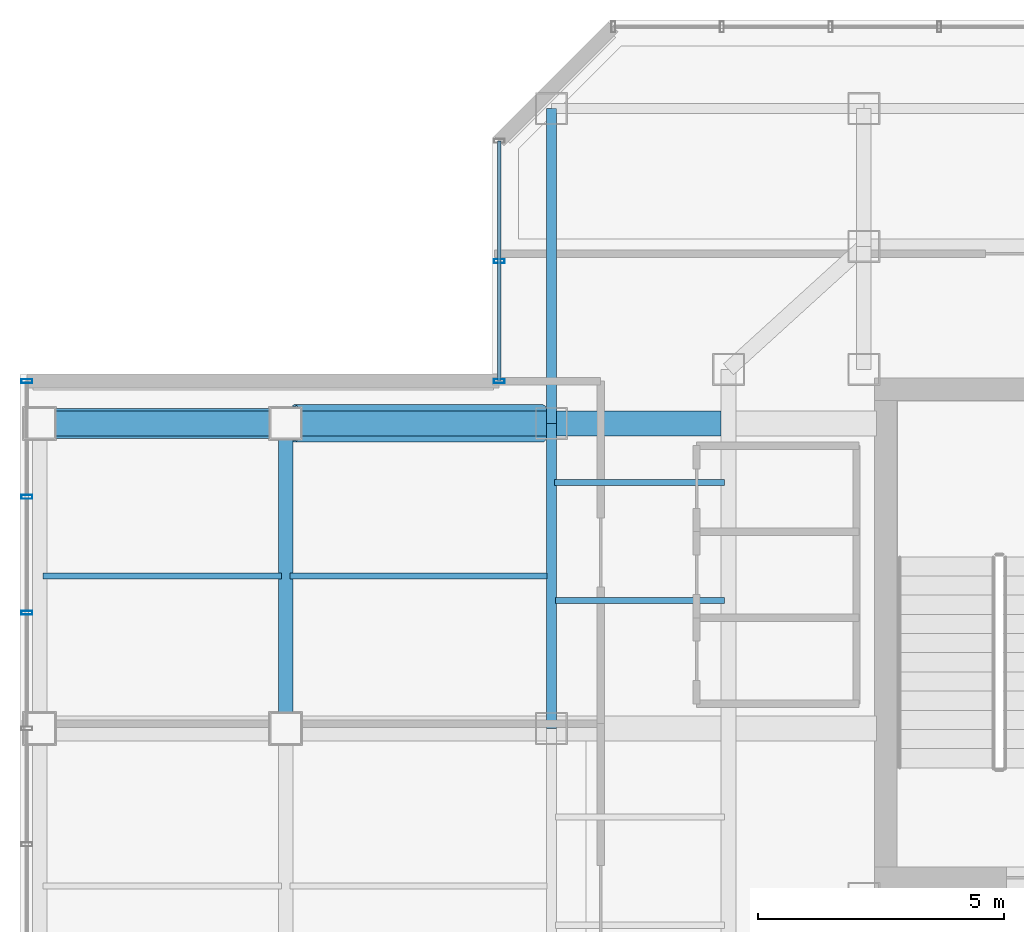
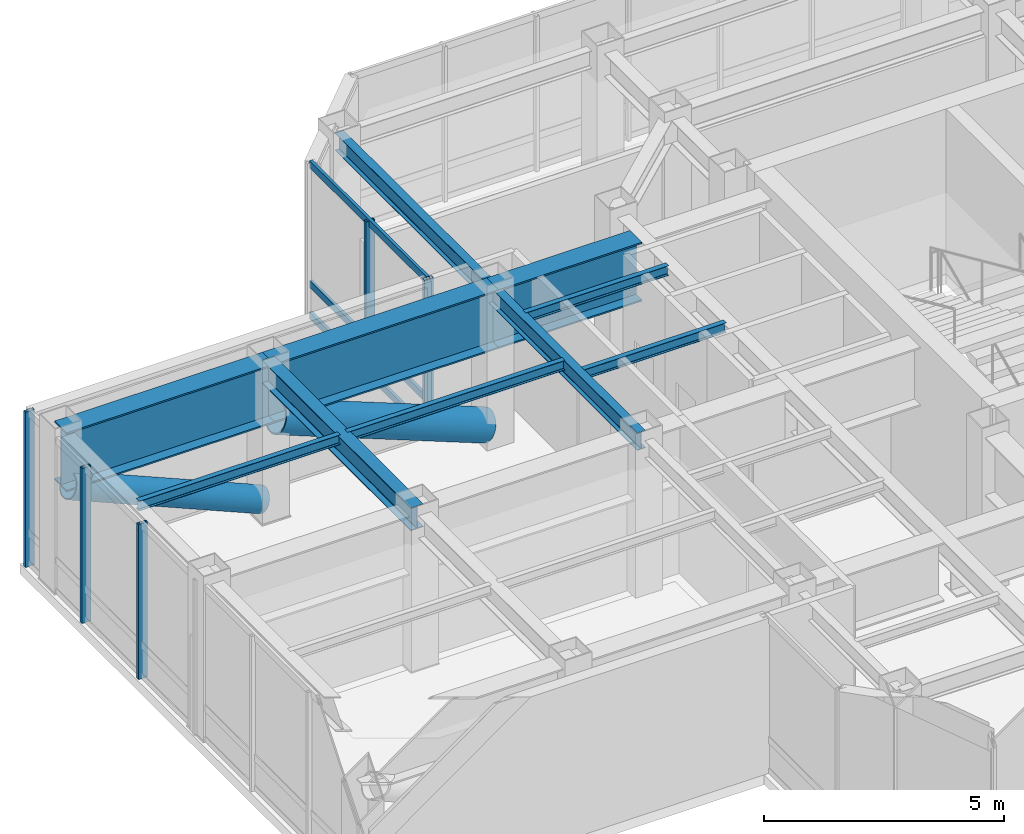
# One storey, part 7 of 22: 10 beams, 10 members, 2 elements without a shape of their own.
"""IFC4 building model written with IfcOpenShell, lengths in metres."""

from ifc_helpers import new_model, si_unit, direction, frame, origin, origin_2d, place, context, subcontext, project, spatial, hollow_rectangle, hollow_circle, i_section, extrude, material, layer, layer_set, material_profile, profile_set, type_object, element, aggregate, save


model = new_model("IFC4")

# Units and contexts
model_context = context("Model", 3, precision=1e-05, world=origin(), true_north=direction((0.0, 1.0)))
body_context = subcontext(model_context, "Body", "Model", "MODEL_VIEW")
ifc_project = project(units=[si_unit("LENGTHUNIT", "METRE"), si_unit("AREAUNIT", "SQUARE_METRE"), si_unit("VOLUMEUNIT", "CUBIC_METRE"), si_unit("PLANEANGLEUNIT", "RADIAN"), si_unit("MASSUNIT", "GRAM", prefix="KILO")], contexts=[model_context])

# Site, building, storey
site_placement = place(None, origin())
site = spatial("IfcSite", under=ifc_project, at=site_placement, CompositionType="ELEMENT")
building_placement = place(site_placement, origin())
building = spatial("IfcBuilding", under=site, at=building_placement, Name="Hatsunagi Terrace Concourse", CompositionType="ELEMENT")
storey_placement = place(building_placement, frame((0.0, 0.0, 257.550048828125)))
storey = spatial("IfcBuildingStorey", under=building, at=storey_placement, Name="L68", CompositionType="ELEMENT", Elevation=257.550048828125)

# Beams
ifc_material_1 = material(Name="Steel SN490B", Category="steel")
ifc_material_profile_1 = material_profile(ifc_material_1, i_section(OverallWidth=0.125, OverallDepth=0.25, WebThickness=0.006103515625, FlangeThickness=0.009033203125, FilletRadius=0.008056640625, at=origin_2d()), Name="H-250x125x6x9")
ifc_profile_set_1 = profile_set([ifc_material_profile_1], Name="Steel SN490B")
beam_type_1 = type_object("IfcBeamType", Name="CrownJoist_H_250x125", PredefinedType="JOIST", material=ifc_profile_set_1)
beam_1_placement = place(storey_placement, frame((19.114990234375, 39.10009765625, 3.824951171875), z_axis=(-1.0, 0.0, 0.0), x_axis=(0.0, -1.0, 0.0)))
element("IfcBeam", 1, at=beam_1_placement, inside=storey, type_object=beam_type_1, Name="Beam J-04 J-L68-SL1-391", PredefinedType="JOIST", context=body_context, shape_type="SweptSolid", body=[
    extrude(i_section(OverallWidth=0.125, OverallDepth=0.25, WebThickness=0.006103515625, FlangeThickness=0.009033203125, FilletRadius=0.008056640625, at=origin_2d()), origin(), (0.0, 0.0, 1.0), 5.22998046875),
])
beam_2_placement = place(storey_placement, frame((13.715087890625, 39.10009765625, 3.824951171875), z_axis=(-1.0, 0.0, 0.0), x_axis=(0.0, -1.0, 0.0)))
element("IfcBeam", 2, at=beam_2_placement, inside=storey, type_object=beam_type_1, Name="Beam J-04 J-L68-SL2-391", PredefinedType="JOIST", context=body_context, shape_type="SweptSolid", body=[
    extrude(i_section(OverallWidth=0.125, OverallDepth=0.25, WebThickness=0.006103515625, FlangeThickness=0.009033203125, FilletRadius=0.008056640625, at=origin_2d()), origin(), (0.0, 0.0, 1.0), 4.85009765625),
])
beam_3_placement = place(storey_placement, frame((19.284912109375, 38.60009765625, 3.824951171875), z_axis=(1.0, 0.0, 0.0), x_axis=(0.0, 1.0, 0.0)))
element("IfcBeam", 3, at=beam_3_placement, inside=storey, type_object=beam_type_1, Name="Beam J-04 J-L68-W-19-386", PredefinedType="JOIST", context=body_context, shape_type="SweptSolid", body=[
    extrude(i_section(OverallWidth=0.125, OverallDepth=0.25, WebThickness=0.006103515625, FlangeThickness=0.009033203125, FilletRadius=0.008056640625, at=origin_2d()), origin(), (0.0, 0.0, 1.0), 3.43017578125),
])
beam_4_placement = place(storey_placement, frame((19.264892578125, 41.0, 3.824951171875), z_axis=(1.0, 0.0, 0.0), x_axis=(0.0, 1.0, 0.0)))
element("IfcBeam", 4, at=beam_4_placement, inside=storey, type_object=beam_type_1, Name="Beam J-04 J-L68-W-19-410", PredefinedType="JOIST", context=body_context, shape_type="SweptSolid", body=[
    extrude(i_section(OverallWidth=0.125, OverallDepth=0.25, WebThickness=0.006103515625, FlangeThickness=0.009033203125, FilletRadius=0.008056640625, at=origin_2d()), origin(), (0.0, 0.0, 1.0), 3.4501953125),
])

# Curtain wall, members
ifc_material_2 = material(Name="Anodised Aluminium Alloy 6063-T5", Category="aluminium")
ifc_layer = layer(ifc_material_2, 0.199951171875)
ifc_layer_set = layer_set([ifc_layer], Name="SkyLobbyAtrium_CW05")
curtain_wall_type = type_object("IfcCurtainWallType", Name="SkyLobbyAtrium_CW05", PredefinedType="NOTDEFINED", material=ifc_layer_set)
curtain_wall_1_placement = place(storey_placement, origin())
curtain_wall_1 = element("IfcCurtainWall", 5, at=curtain_wall_1_placement, inside=storey, type_object=curtain_wall_type, Name="Unitised Curtain Wall CW-05 CW-L68-01", PredefinedType="NOTDEFINED")
ifc_material_3 = material(Name="Anodised Aluminium Alloy 6063-T5", Category="aluminium")
ifc_material_profile_2 = material_profile(ifc_material_3, hollow_rectangle(XDim=0.080078125, YDim=0.219970703125, WallThickness=0.0048828125, at=origin_2d()), Name="ALU-MUL-220x80x5")
ifc_profile_set_2 = profile_set([ifc_material_profile_2], Name="Anodised Aluminium Alloy 6063-T5")
member_type_1 = type_object("IfcMemberType", Name="CurtainWallMullion_Heavy_220x80", PredefinedType="MULLION", material=ifc_profile_set_2)
member_1_placement = place(storey_placement, frame((18.139892578125, 43.06005859375, 0.0), z_axis=(0.0, 0.0, 1.0), x_axis=(0.0, 1.0, 0.0)))
member_1 = element("IfcMember", 6, at=member_1_placement, type_object=member_type_1, Name="Curtain Wall Mullion MUL-01", PredefinedType="MULLION", context=body_context, shape_type="SweptSolid", body=[
    extrude(hollow_rectangle(XDim=0.080078125, YDim=0.219970703125, WallThickness=0.0048828125, at=origin_2d()), origin(), (0.0, 0.0, 1.0), 3.949951171875),
])
member_2_placement = place(storey_placement, frame((18.139892578125, 45.5009765625, 0.0), z_axis=(0.0, 0.0, 1.0), x_axis=(0.0, 1.0, 0.0)))
member_2 = element("IfcMember", 7, at=member_2_placement, type_object=member_type_1, Name="Curtain Wall Mullion MUL-01", PredefinedType="MULLION", context=body_context, shape_type="SweptSolid", body=[
    extrude(hollow_rectangle(XDim=0.080078125, YDim=0.219970703125, WallThickness=0.0048828125, at=origin_2d()), origin(), (0.0, 0.0, 1.0), 3.949951171875),
])

curtain_wall_2_placement = place(storey_placement, origin())
curtain_wall_2 = element("IfcCurtainWall", 8, at=curtain_wall_2_placement, inside=storey, type_object=curtain_wall_type, Name="Unitised Curtain Wall CW-05 CW-L68-15", PredefinedType="NOTDEFINED")
member_3_placement = place(storey_placement, frame((8.5400390625, 38.35302734375, 0.0), z_axis=(0.0, 0.0, 1.0), x_axis=(0.0, 1.0, 0.0)))
member_3 = element("IfcMember", 9, at=member_3_placement, type_object=member_type_1, Name="Curtain Wall Mullion MUL-01", PredefinedType="MULLION", context=body_context, shape_type="SweptSolid", body=[
    extrude(hollow_rectangle(XDim=0.080078125, YDim=0.219970703125, WallThickness=0.0048828125, at=origin_2d()), origin(), (0.0, 0.0, 1.0), 3.949951171875),
])
member_4_placement = place(storey_placement, frame((8.5400390625, 40.70703125, 0.0), z_axis=(0.0, 0.0, 1.0), x_axis=(0.0, 1.0, 0.0)))
member_4 = element("IfcMember", 10, at=member_4_placement, type_object=member_type_1, Name="Curtain Wall Mullion MUL-01", PredefinedType="MULLION", context=body_context, shape_type="SweptSolid", body=[
    extrude(hollow_rectangle(XDim=0.080078125, YDim=0.219970703125, WallThickness=0.0048828125, at=origin_2d()), origin(), (0.0, 0.0, 1.0), 3.949951171875),
])
member_5_placement = place(storey_placement, frame((8.5400390625, 43.06005859375, 0.0), z_axis=(0.0, 0.0, 1.0), x_axis=(0.0, 1.0, 0.0)))
member_5 = element("IfcMember", 11, at=member_5_placement, type_object=member_type_1, Name="Curtain Wall Mullion MUL-01", PredefinedType="MULLION", context=body_context, shape_type="SweptSolid", body=[
    extrude(hollow_rectangle(XDim=0.080078125, YDim=0.219970703125, WallThickness=0.0048828125, at=origin_2d()), origin(), (0.0, 0.0, 1.0), 3.949951171875),
])
aggregate(curtain_wall_2, [member_3, member_4, member_5])

# Member
ifc_material_4 = material(Name="Anodised Aluminium Alloy 6063-T5", Category="aluminium")
ifc_material_profile_3 = material_profile(ifc_material_4, hollow_rectangle(XDim=0.070068359375, YDim=0.179931640625, WallThickness=0.00390625, at=origin_2d()), Name="ALU-TRN-180x70x4")
ifc_profile_set_3 = profile_set([ifc_material_profile_3], Name="Anodised Aluminium Alloy 6063-T5")
member_type_2 = type_object("IfcMemberType", Name="CurtainWallTransom_Heavy_180x70", PredefinedType="USERDEFINED", material=ifc_profile_set_3)
member_6_placement = place(storey_placement, frame((18.139892578125, 43.06005859375, 0.050048828125), z_axis=(0.0, 1.0, 0.0), x_axis=(-1.0, 0.0, 0.0)))
member_6 = element("IfcMember", 12, at=member_6_placement, type_object=member_type_2, Name="Curtain Wall Transom TRN-01", ObjectType="TRANSOM", PredefinedType="USERDEFINED", context=body_context, shape_type="SweptSolid", body=[
    extrude(hollow_rectangle(XDim=0.070068359375, YDim=0.179931640625, WallThickness=0.00390625, at=origin_2d()), origin(), (0.0, 0.0, 1.0), 4.8818359375),
])

member_7_placement = place(storey_placement, frame((18.139892578125, 43.06005859375, 0.849853515625), z_axis=(0.0, 1.0, 0.0), x_axis=(-1.0, 0.0, 0.0)))
member_7 = element("IfcMember", 13, at=member_7_placement, type_object=member_type_2, Name="Curtain Wall Transom TRN-01", ObjectType="TRANSOM", PredefinedType="USERDEFINED", context=body_context, shape_type="SweptSolid", body=[
    extrude(hollow_rectangle(XDim=0.070068359375, YDim=0.179931640625, WallThickness=0.00390625, at=origin_2d()), origin(), (0.0, 0.0, 1.0), 4.8818359375),
])

member_8_placement = place(storey_placement, frame((18.139892578125, 43.06005859375, 3.89990234375), z_axis=(0.0, 1.0, 0.0), x_axis=(-1.0, 0.0, 0.0)))
member_8 = element("IfcMember", 14, at=member_8_placement, type_object=member_type_2, Name="Curtain Wall Transom TRN-01", ObjectType="TRANSOM", PredefinedType="USERDEFINED", context=body_context, shape_type="SweptSolid", body=[
    extrude(hollow_rectangle(XDim=0.070068359375, YDim=0.179931640625, WallThickness=0.00390625, at=origin_2d()), origin(), (0.0, 0.0, 1.0), 4.8818359375),
])

aggregate(curtain_wall_1, [member_1, member_2, member_6, member_7, member_8])

# Beams
ifc_material_5 = material(Name="Steel SN490B", Category="steel")
ifc_material_profile_4 = material_profile(ifc_material_5, i_section(OverallWidth=0.300048828125, OverallDepth=0.587890625, WebThickness=0.011962890625, FlangeThickness=0.02001953125, FilletRadius=0.01806640625, at=origin_2d()), Name="H-588x300x12x20")
ifc_profile_set_4 = profile_set([ifc_material_profile_4], Name="Steel SN490B")
beam_type_2 = type_object("IfcBeamType", Name="OfficeHighGirder_H_588x300", PredefinedType="BEAM", material=ifc_profile_set_4)
beam_5_placement = place(storey_placement, frame((13.800048828125, 36.0, 3.656005859375), z_axis=(0.0, 1.0, 0.0), x_axis=(-1.0, 0.0, 0.0)))
element("IfcBeam", 15, at=beam_5_placement, inside=storey, type_object=beam_type_2, Name="Beam G-06 SLT-L68-NS-1B", PredefinedType="BEAM", context=body_context, shape_type="SweptSolid", body=[
    extrude(i_section(OverallWidth=0.300048828125, OverallDepth=0.587890625, WebThickness=0.011962890625, FlangeThickness=0.02001953125, FilletRadius=0.01806640625, at=origin_2d()), origin(), (0.0, 0.0, 1.0), 6.199951171875),
])
ifc_material_6 = material(Name="Steel SN490B", Category="steel")
ifc_material_profile_5 = material_profile(ifc_material_6, i_section(OverallWidth=0.199951171875, OverallDepth=0.449951171875, WebThickness=0.009033203125, FlangeThickness=0.013916015625, FilletRadius=0.01611328125, at=origin_2d()), Name="H-450x200x9x14")
ifc_profile_set_5 = profile_set([ifc_material_profile_5], Name="Steel SN490B")
beam_type_3 = type_object("IfcBeamType", Name="PerimeterSpandrel_H_450x200", PredefinedType="SPANDREL", material=ifc_profile_set_5)
beam_6_placement = place(storey_placement, frame((19.199951171875, 36.0, 3.724853515625), z_axis=(0.0, 1.0, 0.0), x_axis=(-1.0, 0.0, 0.0)))
element("IfcBeam", 16, at=beam_6_placement, inside=storey, type_object=beam_type_3, Name="Beam SP-02 BM-L68-NS-19-36", PredefinedType="SPANDREL", context=body_context, shape_type="SweptSolid", body=[
    extrude(i_section(OverallWidth=0.199951171875, OverallDepth=0.449951171875, WebThickness=0.009033203125, FlangeThickness=0.013916015625, FilletRadius=0.01611328125, at=origin_2d()), origin(), (0.0, 0.0, 1.0), 6.199951171875),
])
beam_7_placement = place(storey_placement, frame((19.199951171875, 42.199951171875, 3.724853515625), z_axis=(0.0, 1.0, 0.0), x_axis=(-1.0, 0.0, 0.0)))
element("IfcBeam", 17, at=beam_7_placement, inside=storey, type_object=beam_type_3, Name="Beam SP-02 BM-L68-NS-19-42", PredefinedType="SPANDREL", context=body_context, shape_type="SweptSolid", body=[
    extrude(i_section(OverallWidth=0.199951171875, OverallDepth=0.449951171875, WebThickness=0.009033203125, FlangeThickness=0.013916015625, FilletRadius=0.01611328125, at=origin_2d()), origin(), (0.0, 0.0, 1.0), 6.400146484375),
])

# Members
ifc_material_7 = material(Name="Steel SN490B", Category="steel")
ifc_material_profile_6 = material_profile(ifc_material_7, hollow_circle(Radius=0.3046875, WallThickness=0.02490234375, at=origin_2d()), Name="CHS-609.6x25")
ifc_profile_set_6 = profile_set([ifc_material_profile_6], Name="Steel SN490B")
member_type_3 = type_object("IfcMemberType", Name="SkyLoungeMidRaker_CHS_609x25", PredefinedType="STRUT", material=ifc_profile_set_6)
member_9_placement = place(storey_placement, frame((13.6201171875, 42.199951171875, 0.419921875), z_axis=(-0.91976465902, 0.0, 0.392470345399), x_axis=(0.0, -1.0, 0.0)))
element("IfcMember", 18, at=member_9_placement, inside=storey, type_object=member_type_3, Name="Sky Lounge Truss Web Strut SLS-02 #2", PredefinedType="STRUT", context=body_context, shape_type="SweptSolid", body=[
    extrude(hollow_circle(Radius=0.3046875, WallThickness=0.02490234375, at=origin_2d()), origin(), (0.0, 0.0, 1.0), 5.044921875),
])
ifc_material_8 = material(Name="Steel SN490C", Category="steel")
ifc_material_profile_7 = material_profile(ifc_material_8, hollow_circle(Radius=0.381103515625, WallThickness=0.031982421875, at=origin_2d()), Name="CHS-762x32")
ifc_profile_set_7 = profile_set([ifc_material_profile_7], Name="Steel SN490C")
member_type_4 = type_object("IfcMemberType", Name="SkyLoungeOuterRaker_CHS_762x32", PredefinedType="STRUT", material=ifc_profile_set_7)
member_10_placement = place(storey_placement, frame((19.02001953125, 42.199951171875, 0.419921875), z_axis=(-0.930753685446, 0.0, 0.365646792723), x_axis=(0.0, -1.0, 0.0)))
element("IfcMember", 19, at=member_10_placement, inside=storey, type_object=member_type_4, Name="Sky Lounge Truss Web Strut SLS-01 #2", PredefinedType="STRUT", context=body_context, shape_type="SweptSolid", body=[
    extrude(hollow_circle(Radius=0.381103515625, WallThickness=0.031982421875, at=origin_2d()), origin(), (0.0, 0.0, 1.0), 5.4150390625),
])

# Beams
ifc_material_9 = material(Name="Steel SN490C", Category="steel")
ifc_material_profile_8 = material_profile(ifc_material_9, i_section(OverallWidth=0.5, OverallDepth=1.5, WebThickness=0.028076171875, FlangeThickness=0.0380859375, at=origin_2d()), Name="BH-1500x500x28x38")
ifc_profile_set_8 = profile_set([ifc_material_profile_8], Name="Steel SN490C")
beam_type_4 = type_object("IfcBeamType", Name="SkyLoungeTrussGirder_BH_1500x500x28x38", PredefinedType="USERDEFINED", material=ifc_profile_set_8)
beam_8_placement = place(storey_placement, frame((22.64990234375, 42.199951171875, 3.199951171875), z_axis=(-1.0, 0.0, 0.0), x_axis=(0.0, -1.0, 0.0)))
element("IfcBeam", 20, at=beam_8_placement, inside=storey, type_object=beam_type_4, Name="Transfer girder SLT-01 SLT-L68-BSW-3", ObjectType="TRANSFER_GIRDER", PredefinedType="USERDEFINED", context=body_context, shape_type="SweptSolid", body=[
    extrude(i_section(OverallWidth=0.5, OverallDepth=1.5, WebThickness=0.028076171875, FlangeThickness=0.0380859375, at=origin_2d()), origin(), (0.0, 0.0, 1.0), 3.449951171875),
])
beam_9_placement = place(storey_placement, frame((19.199951171875, 42.199951171875, 3.199951171875), z_axis=(-1.0, 0.0, 0.0), x_axis=(0.0, -1.0, 0.0)))
element("IfcBeam", 21, at=beam_9_placement, inside=storey, type_object=beam_type_4, Name="Transfer girder SLT-01 SLT-L68-C1-3", ObjectType="TRANSFER_GIRDER", PredefinedType="USERDEFINED", context=body_context, shape_type="SweptSolid", body=[
    extrude(i_section(OverallWidth=0.5, OverallDepth=1.5, WebThickness=0.028076171875, FlangeThickness=0.0380859375, at=origin_2d()), origin(), (0.0, 0.0, 1.0), 5.39990234375),
])
beam_10_placement = place(storey_placement, frame((13.800048828125, 42.199951171875, 3.199951171875), z_axis=(-1.0, 0.0, 0.0), x_axis=(0.0, -1.0, 0.0)))
element("IfcBeam", 22, at=beam_10_placement, inside=storey, type_object=beam_type_4, Name="Transfer girder SLT-01 SLT-L68-C2-3", ObjectType="TRANSFER_GIRDER", PredefinedType="USERDEFINED", context=body_context, shape_type="SweptSolid", body=[
    extrude(i_section(OverallWidth=0.5, OverallDepth=1.5, WebThickness=0.028076171875, FlangeThickness=0.0380859375, at=origin_2d()), origin(), (0.0, 0.0, 1.0), 5.0),
])

save(model, "model.ifc")
